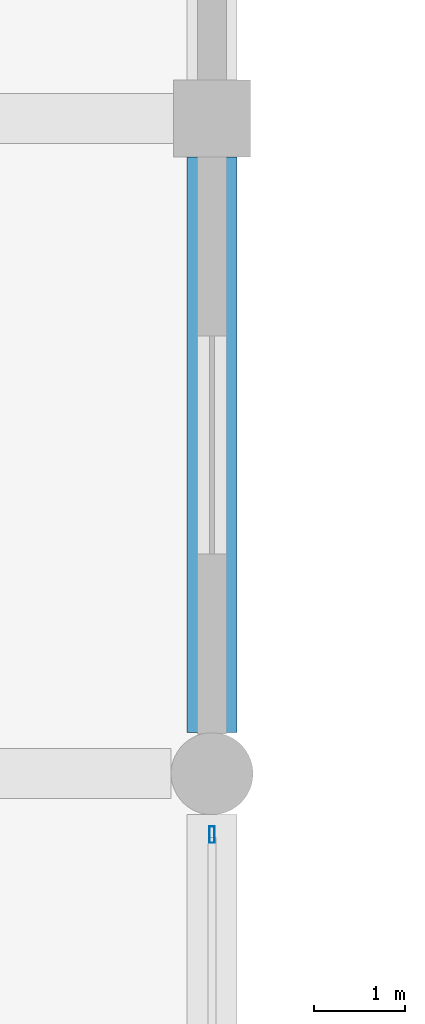
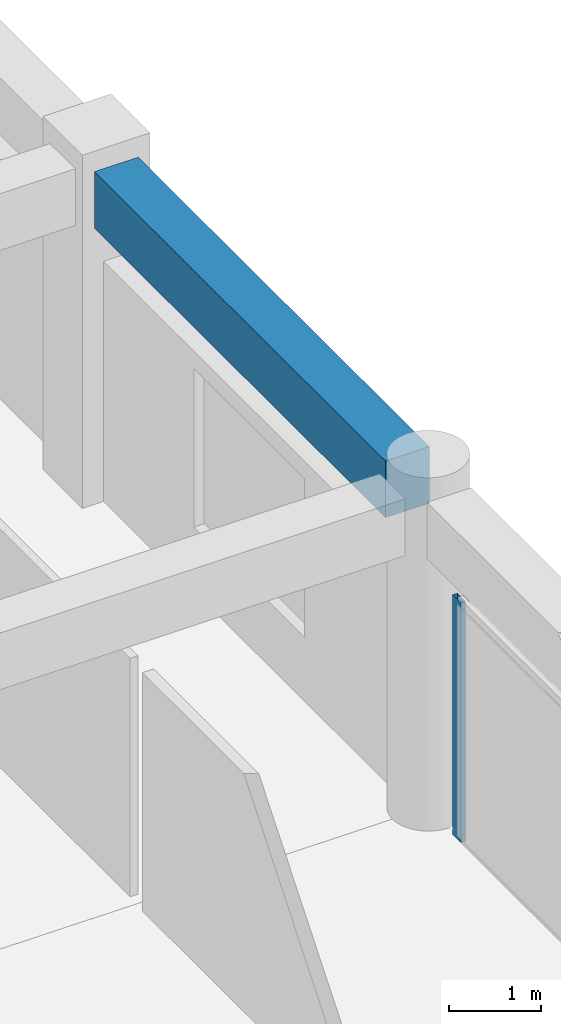
# One storey, part 27 of 54: 1 beam, 1 member, 1 element without a shape of its own.
"""IFC4 building model written with IfcOpenShell, lengths in metres."""

from ifc_helpers import new_model, si_unit, direction, frame, origin, origin_2d, place, context, subcontext, project, spatial, rectangle, hollow_rectangle, extrude, material, material_profile, profile_set, type_object, element, aggregate, save


model = new_model("IFC4")

# Units and contexts
model_context = context("Model", 3, precision=1e-05, world=origin(), true_north=direction((0.0, 1.0)))
body_context = subcontext(model_context, "Body", "Model", "MODEL_VIEW")
ifc_project = project(units=[si_unit("LENGTHUNIT", "METRE"), si_unit("AREAUNIT", "SQUARE_METRE"), si_unit("VOLUMEUNIT", "CUBIC_METRE"), si_unit("PLANEANGLEUNIT", "RADIAN"), si_unit("MASSUNIT", "GRAM", prefix="KILO")], contexts=[model_context])

# Site, building, storey
site_placement = place(None, origin())
site = spatial("IfcSite", under=ifc_project, at=site_placement, CompositionType="ELEMENT")
building_placement = place(site_placement, origin())
building = spatial("IfcBuilding", under=site, at=building_placement, Name="Kazehaya Institute of Natural Sciences", CompositionType="ELEMENT")
storey_placement = place(building_placement, frame((0.0, 0.0, 10.43994140625)))
storey = spatial("IfcBuildingStorey", under=building, at=storey_placement, Name="L02", CompositionType="ELEMENT", Elevation=10.43994140625)

# Beam
ifc_material_1 = material(Name="Concrete Fc36", Category="concrete")
ifc_material_profile_1 = material_profile(ifc_material_1, rectangle(XDim=0.550048828125, YDim=0.75, at=origin_2d()), Name="RC-550x750")
ifc_profile_set_1 = profile_set([ifc_material_profile_1], Name="Concrete Fc36")
beam_type = type_object("IfcBeamType", Name="BM-G-550x750", PredefinedType="BEAM", material=ifc_profile_set_1)
beam_placement = place(storey_placement, frame((112.199951171875, 64.85009765625, 4.03515625), z_axis=(0.0, 1.0, 0.0), x_axis=(-1.0, 0.0, 0.0)))
element("IfcBeam", 1, at=beam_placement, inside=storey, type_object=beam_type, Name="L02 primary Y girder BMY-L02-1122-644", PredefinedType="BEAM", context=body_context, shape_type="SweptSolid", body=[
    extrude(rectangle(XDim=0.550048828125, YDim=0.75, at=origin_2d()), origin(), (0.0, 0.0, 1.0), 6.324951171875),
])

# Curtain wall, member
ifc_material_2 = material(Name="Aluminium alloy A6063S-T5", Category="aluminium")
curtain_wall_type = type_object("IfcCurtainWallType", Name="CW-SYS-03", PredefinedType="NOTDEFINED", material=ifc_material_2)
curtain_wall_placement = place(storey_placement, origin())
curtain_wall = element("IfcCurtainWall", 2, at=curtain_wall_placement, inside=storey, type_object=curtain_wall_type, Name="L02 unitised curtain wall CW-L02-030", PredefinedType="NOTDEFINED")
ifc_material_profile_2 = material_profile(ifc_material_2, hollow_rectangle(XDim=0.06005859375, YDim=0.179931640625, WallThickness=0.00390625, at=origin_2d()), Name="ALU-60x180x4")
ifc_profile_set_2 = profile_set([ifc_material_profile_2], Name="Aluminium alloy A6063S-T5")
member_type = type_object("IfcMemberType", Name="CWM-180", PredefinedType="MULLION", material=ifc_profile_set_2)
member_placement = place(storey_placement, frame((112.199951171875, 63.72998046875, 0.0), z_axis=(0.0, 0.0, 1.0), x_axis=(1.0, 0.0, 0.0)))
member = element("IfcMember", 3, at=member_placement, type_object=member_type, Name="CW03 mullion 1", PredefinedType="MULLION", context=body_context, shape_type="SweptSolid", body=[
    extrude(hollow_rectangle(XDim=0.06005859375, YDim=0.179931640625, WallThickness=0.00390625, at=origin_2d()), origin(), (0.0, 0.0, 1.0), 3.18017578125),
])
aggregate(curtain_wall, [member])

save(model, "model.ifc")
